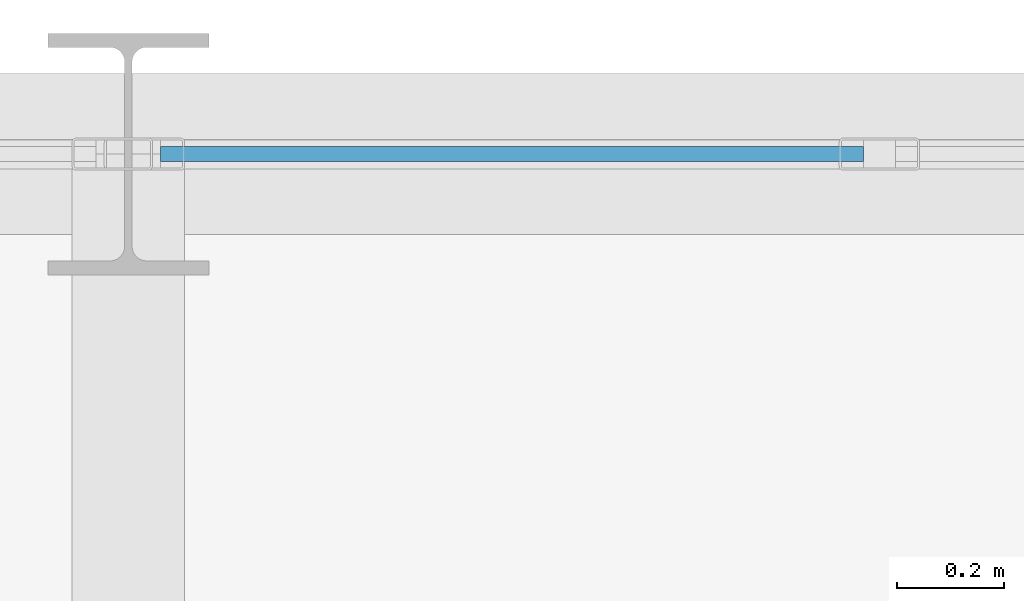
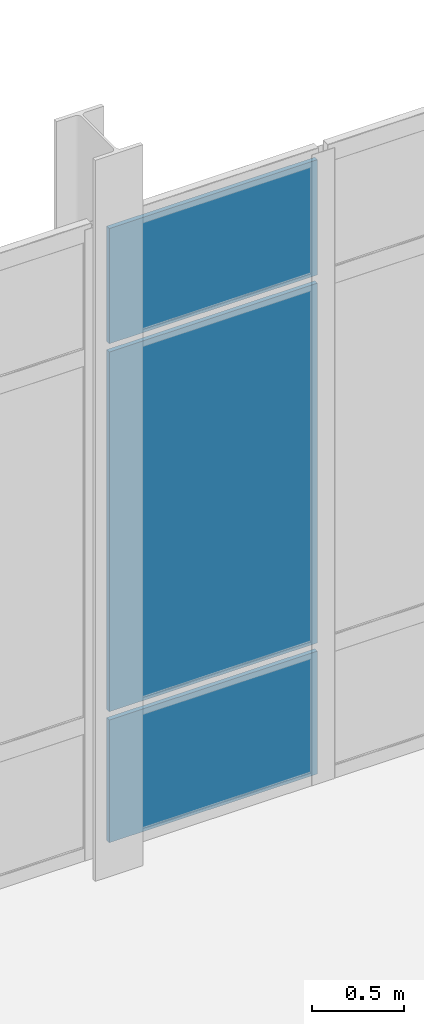
# One storey, part 119 of 145: 3 plates, 1 element without a shape of its own.
"""IFC4 building model written with IfcOpenShell, lengths in metres."""

from ifc_helpers import new_model, si_unit, direction, frame, origin, origin_2d, place, context, subcontext, project, spatial, rectangle, extrude, material, layer, layer_set, type_object, element, aggregate, save


model = new_model("IFC4")

# Units and contexts
model_context = context("Model", 3, precision=1e-05, world=origin(), true_north=direction((0.0, 1.0)))
body_context = subcontext(model_context, "Body", "Model", "MODEL_VIEW")
ifc_project = project(units=[si_unit("LENGTHUNIT", "METRE"), si_unit("AREAUNIT", "SQUARE_METRE"), si_unit("VOLUMEUNIT", "CUBIC_METRE"), si_unit("PLANEANGLEUNIT", "RADIAN"), si_unit("MASSUNIT", "GRAM", prefix="KILO")], contexts=[model_context])

# Site, building, storey
site_placement = place(None, origin())
site = spatial("IfcSite", under=ifc_project, at=site_placement, CompositionType="ELEMENT")
building_placement = place(site_placement, origin())
building = spatial("IfcBuilding", under=site, at=building_placement, Name="Qalvenar Corner Mobility Hub", CompositionType="ELEMENT")
storey_placement = place(building_placement, origin())
storey = spatial("IfcBuildingStorey", under=building, at=storey_placement, Name="L00", CompositionType="ELEMENT", Elevation=0.0)

# Curtain wall, plates
ifc_material_1 = material(Name="Anodised Aluminium and Low-E Glazing", Category="aluminium")
ifc_layer_1 = layer(ifc_material_1, 0.14990234375)
ifc_layer_set_1 = layer_set([ifc_layer_1], Name="Anodised Aluminium and Low-E Glazing")
curtain_wall_type = type_object("IfcCurtainWallType", Name="CW-MOB-84X46", PredefinedType="NOTDEFINED", material=ifc_layer_set_1)
curtain_wall_placement = place(storey_placement, origin())
curtain_wall = element("IfcCurtainWall", 1, at=curtain_wall_placement, inside=storey, type_object=curtain_wall_type, Name="Glazed Curtain Wall CW-V4-L00-N8", PredefinedType="NOTDEFINED")
ifc_material_2 = material(Name="Solar-Control Low-E Double Glazing", Category="glass")
ifc_layer_2 = layer(ifc_material_2, 0.028076171875)
ifc_layer_set_2 = layer_set([ifc_layer_2], Name="Solar-Control Low-E Double Glazing")
plate_type = type_object("IfcPlateType", Name="PLT-CWP-GLZ1", PredefinedType="CURTAIN_PANEL", material=ifc_layer_set_2)
plate_1_placement = place(storey_placement, frame((126.715087890625, 117.60009765625, 0.05517578125), z_axis=(0.0, 0.0, 1.0), x_axis=(-1.0, 0.0, 0.0)))
plate_1 = element("IfcPlate", 2, at=plate_1_placement, type_object=plate_type, Name="CW-03 panel 6.1", PredefinedType="CURTAIN_PANEL", context=body_context, shape_type="SweptSolid", body=[
    extrude(rectangle(XDim=1.31005859375, YDim=0.028076171875, at=origin_2d()), origin(), (0.0, 0.0, 1.0), 0.8173828125),
])
plate_2_placement = place(storey_placement, frame((126.715087890625, 117.60009765625, 0.927490234375), z_axis=(0.0, 0.0, 1.0), x_axis=(-1.0, 0.0, 0.0)))
plate_2 = element("IfcPlate", 3, at=plate_2_placement, type_object=plate_type, Name="CW-03 panel 6.2", PredefinedType="CURTAIN_PANEL", context=body_context, shape_type="SweptSolid", body=[
    extrude(rectangle(XDim=1.31005859375, YDim=0.028076171875, at=origin_2d()), origin(), (0.0, 0.0, 1.0), 2.39501953125),
])
plate_3_placement = place(storey_placement, frame((126.715087890625, 117.60009765625, 3.37744140625), z_axis=(0.0, 0.0, 1.0), x_axis=(-1.0, 0.0, 0.0)))
plate_3 = element("IfcPlate", 4, at=plate_3_placement, type_object=plate_type, Name="CW-03 panel 6.3", PredefinedType="CURTAIN_PANEL", context=body_context, shape_type="SweptSolid", body=[
    extrude(rectangle(XDim=1.31005859375, YDim=0.028076171875, at=origin_2d()), origin(), (0.0, 0.0, 1.0), 0.767578125),
])
aggregate(curtain_wall, [plate_1, plate_2, plate_3])

save(model, "model.ifc")
